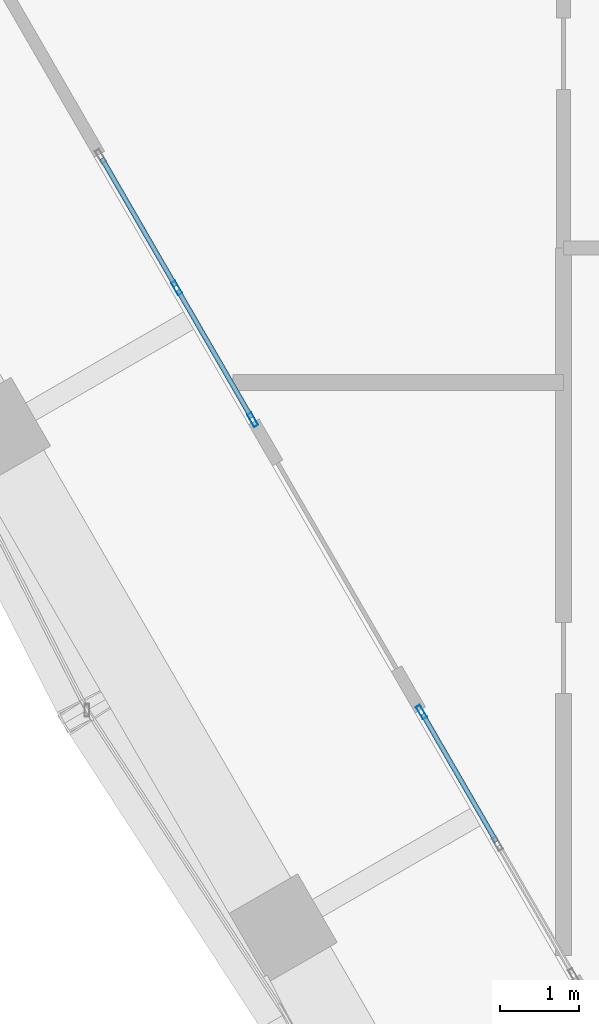
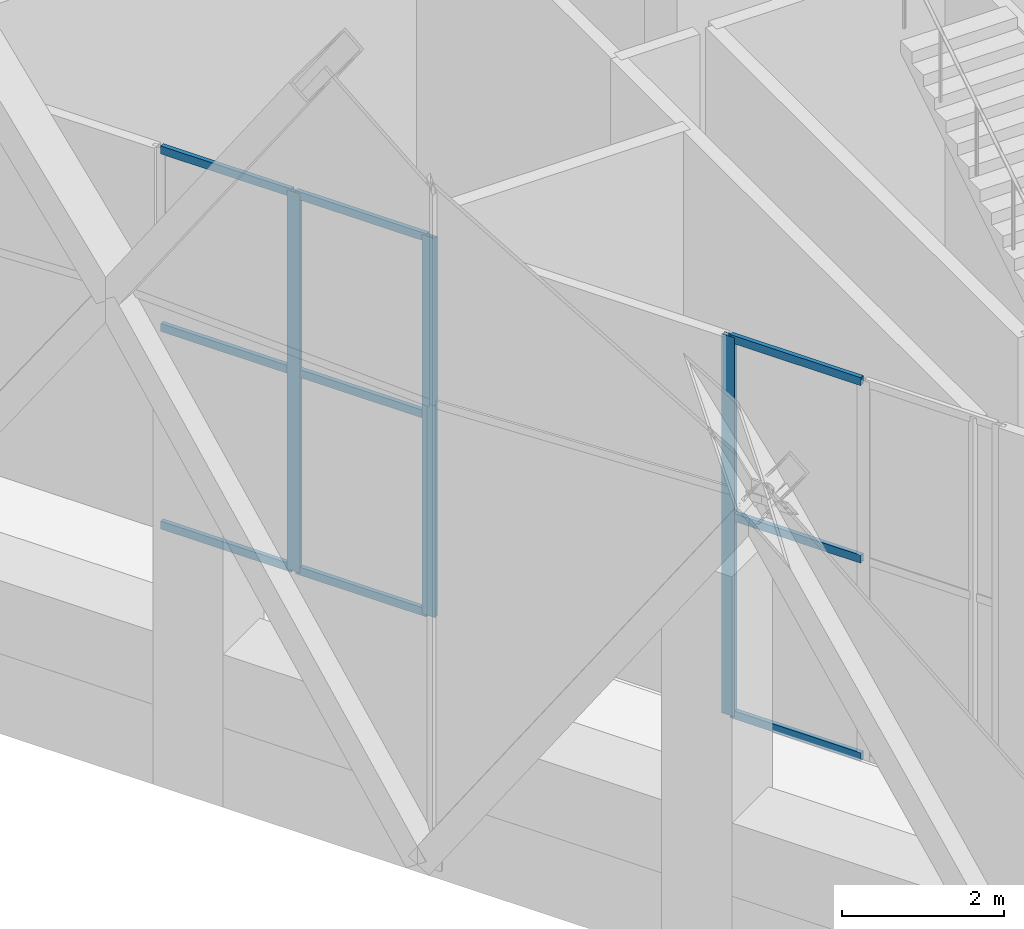
# One storey, part 7 of 43: 12 members, 2 elements without a shape of their own.
"""IFC4 building model written with IfcOpenShell, lengths in metres."""

from ifc_helpers import new_model, si_unit, direction, frame, origin, origin_2d, place, context, subcontext, project, spatial, hollow_rectangle, extrude, material, material_profile, profile_set, type_object, element, aggregate, save


model = new_model("IFC4")

# Units and contexts
model_context = context("Model", 3, precision=1e-05, world=origin(), true_north=direction((0.0, 1.0)))
body_context = subcontext(model_context, "Body", "Model", "MODEL_VIEW")
ifc_project = project(units=[si_unit("LENGTHUNIT", "METRE"), si_unit("AREAUNIT", "SQUARE_METRE"), si_unit("VOLUMEUNIT", "CUBIC_METRE"), si_unit("PLANEANGLEUNIT", "RADIAN"), si_unit("MASSUNIT", "GRAM", prefix="KILO")], contexts=[model_context])

# Site, building, storey
site_placement = place(None, origin())
site = spatial("IfcSite", under=ifc_project, at=site_placement, CompositionType="ELEMENT")
building_placement = place(site_placement, origin())
building = spatial("IfcBuilding", under=site, at=building_placement, Name="Ostrander Bayou Hotel Tower", CompositionType="ELEMENT")
storey_placement = place(building_placement, frame((0.0, 0.0, 151.0)))
storey = spatial("IfcBuildingStorey", under=building, at=storey_placement, Name="L37", CompositionType="ELEMENT", Elevation=151.0)

# Curtain wall, members
ifc_material_1 = material(Name="Aluminium and clear glass", Category="aluminium")
curtain_wall_type = type_object("IfcCurtainWallType", Name="CW-SKY amenity glass wall", PredefinedType="NOTDEFINED", material=ifc_material_1)
curtain_wall_1_placement = place(storey_placement, origin())
curtain_wall_1 = element("IfcCurtainWall", 1, at=curtain_wall_1_placement, inside=storey, type_object=curtain_wall_type, Name="CW-SKY L37 SW 1", PredefinedType="NOTDEFINED")
ifc_material_2 = material(Name="Aluminium", Category="aluminium")
ifc_material_profile_1 = material_profile(ifc_material_2, hollow_rectangle(XDim=0.06005859375, YDim=0.179931640625, WallThickness=0.00390625, at=origin_2d()))
ifc_profile_set_1 = profile_set([ifc_material_profile_1], Name="Aluminium")
member_type_1 = type_object("IfcMemberType", Name="CW-SK mullion 60 x 180 mm", PredefinedType="MULLION", material=ifc_profile_set_1)
member_1_placement = place(storey_placement, frame((-15.38330078125, -4.205078125, 0.0), z_axis=(0.0, 0.0, 1.0), x_axis=(0.866025463091, 0.499999897278, 0.0)))
member_1 = element("IfcMember", 2, at=member_1_placement, type_object=member_type_1, Name="CW-SKY mullion 2", PredefinedType="MULLION", context=body_context, shape_type="SweptSolid", body=[
    extrude(hollow_rectangle(XDim=0.06005859375, YDim=0.179931640625, WallThickness=0.00390625, at=origin_2d()), origin(), (0.0, 0.0, 1.0), 5.699951171875),
])
member_2_placement = place(storey_placement, frame((-14.42333984375, -5.867919921875, 0.0), z_axis=(0.0, 0.0, 1.0), x_axis=(0.866025463091, 0.499999897278, 0.0)))
member_2 = element("IfcMember", 3, at=member_2_placement, type_object=member_type_1, Name="CW-SKY mullion 3", PredefinedType="MULLION", context=body_context, shape_type="SweptSolid", body=[
    extrude(hollow_rectangle(XDim=0.06005859375, YDim=0.179931640625, WallThickness=0.00390625, at=origin_2d()), origin(), (0.0, 0.0, 1.0), 5.699951171875),
])

# Curtain wall, member
curtain_wall_2_placement = place(storey_placement, origin())
curtain_wall_2 = element("IfcCurtainWall", 4, at=curtain_wall_2_placement, inside=storey, type_object=curtain_wall_type, Name="CW-SKY L37 SW 3", PredefinedType="NOTDEFINED")
member_3_placement = place(storey_placement, frame((-12.29345703125, -9.55712890625, 0.0), z_axis=(0.0, 0.0, 1.0), x_axis=(0.866025463091, 0.499999897278, 0.0)))
member_3 = element("IfcMember", 5, at=member_3_placement, type_object=member_type_1, Name="CW-SKY mullion 1", PredefinedType="MULLION", context=body_context, shape_type="SweptSolid", body=[
    extrude(hollow_rectangle(XDim=0.06005859375, YDim=0.179931640625, WallThickness=0.00390625, at=origin_2d()), origin(), (0.0, 0.0, 1.0), 5.699951171875),
])

# Member
ifc_material_3 = material(Name="Aluminium", Category="aluminium")
ifc_material_profile_2 = material_profile(ifc_material_3, hollow_rectangle(XDim=0.06005859375, YDim=0.1201171875, WallThickness=0.00390625, at=origin_2d()))
ifc_profile_set_2 = profile_set([ifc_material_profile_2], Name="Aluminium")
member_type_2 = type_object("IfcMemberType", Name="CW-SK transom 60 x 120 mm", PredefinedType="USERDEFINED", material=ifc_profile_set_2)
member_4_placement = place(storey_placement, frame((-16.328369140625, -2.568359375, 0.030029296875), z_axis=(0.500021687003, -0.866012882425, 0.0), x_axis=(0.866012882425, 0.500021687003, 0.0)))
member_4 = element("IfcMember", 6, at=member_4_placement, type_object=member_type_2, Name="CW-SKY transom 1.1", ObjectType="TRANSOM", PredefinedType="USERDEFINED", context=body_context, shape_type="SweptSolid", body=[
    extrude(hollow_rectangle(XDim=0.06005859375, YDim=0.1201171875, WallThickness=0.00390625, at=origin_2d()), origin(), (0.0, 0.0, 1.0), 1.85986328125),
])

member_5_placement = place(storey_placement, frame((-16.328369140625, -2.568359375, 3.0), z_axis=(0.500021687003, -0.866012882425, 0.0), x_axis=(0.866012882425, 0.500021687003, 0.0)))
member_5 = element("IfcMember", 7, at=member_5_placement, type_object=member_type_2, Name="CW-SKY transom 1.2", ObjectType="TRANSOM", PredefinedType="USERDEFINED", context=body_context, shape_type="SweptSolid", body=[
    extrude(hollow_rectangle(XDim=0.06005859375, YDim=0.1201171875, WallThickness=0.00390625, at=origin_2d()), origin(), (0.0, 0.0, 1.0), 1.85986328125),
])

member_6_placement = place(storey_placement, frame((-16.328369140625, -2.568359375, 5.669921875), z_axis=(0.500021687003, -0.866012882425, 0.0), x_axis=(0.866012882425, 0.500021687003, 0.0)))
member_6 = element("IfcMember", 8, at=member_6_placement, type_object=member_type_2, Name="CW-SKY transom 1.3", ObjectType="TRANSOM", PredefinedType="USERDEFINED", context=body_context, shape_type="SweptSolid", body=[
    extrude(hollow_rectangle(XDim=0.06005859375, YDim=0.1201171875, WallThickness=0.00390625, at=origin_2d()), origin(), (0.0, 0.0, 1.0), 1.85986328125),
])

member_7_placement = place(storey_placement, frame((-15.368408203125, -4.23095703125, 0.030029296875), z_axis=(0.499964847546, -0.866045698112, 0.0), x_axis=(0.866045698112, 0.499964847546, 0.0)))
member_7 = element("IfcMember", 9, at=member_7_placement, type_object=member_type_2, Name="CW-SKY transom 2.1", ObjectType="TRANSOM", PredefinedType="USERDEFINED", context=body_context, shape_type="SweptSolid", body=[
    extrude(hollow_rectangle(XDim=0.06005859375, YDim=0.1201171875, WallThickness=0.00390625, at=origin_2d()), origin(), (0.0, 0.0, 1.0), 1.860107421875),
])

member_8_placement = place(storey_placement, frame((-15.368408203125, -4.23095703125, 3.0), z_axis=(0.499964847546, -0.866045698112, 0.0), x_axis=(0.866045698112, 0.499964847546, 0.0)))
member_8 = element("IfcMember", 10, at=member_8_placement, type_object=member_type_2, Name="CW-SKY transom 2.2", ObjectType="TRANSOM", PredefinedType="USERDEFINED", context=body_context, shape_type="SweptSolid", body=[
    extrude(hollow_rectangle(XDim=0.06005859375, YDim=0.1201171875, WallThickness=0.00390625, at=origin_2d()), origin(), (0.0, 0.0, 1.0), 1.860107421875),
])

member_9_placement = place(storey_placement, frame((-15.368408203125, -4.23095703125, 5.669921875), z_axis=(0.499964847546, -0.866045698112, 0.0), x_axis=(0.866045698112, 0.499964847546, 0.0)))
member_9 = element("IfcMember", 11, at=member_9_placement, type_object=member_type_2, Name="CW-SKY transom 2.3", ObjectType="TRANSOM", PredefinedType="USERDEFINED", context=body_context, shape_type="SweptSolid", body=[
    extrude(hollow_rectangle(XDim=0.06005859375, YDim=0.1201171875, WallThickness=0.00390625, at=origin_2d()), origin(), (0.0, 0.0, 1.0), 1.860107421875),
])

aggregate(curtain_wall_1, [member_1, member_2, member_4, member_5, member_6, member_7, member_8, member_9])

member_10_placement = place(storey_placement, frame((-12.2783203125, -9.583251953125, 0.030029296875), z_axis=(0.500021687003, -0.866012882425, 0.0), x_axis=(0.866012882425, 0.500021687003, 0.0)))
member_10 = element("IfcMember", 12, at=member_10_placement, type_object=member_type_2, Name="CW-SKY transom 1.1", ObjectType="TRANSOM", PredefinedType="USERDEFINED", context=body_context, shape_type="SweptSolid", body=[
    extrude(hollow_rectangle(XDim=0.06005859375, YDim=0.1201171875, WallThickness=0.00390625, at=origin_2d()), origin(), (0.0, 0.0, 1.0), 1.85986328125),
])

member_11_placement = place(storey_placement, frame((-12.2783203125, -9.583251953125, 3.0), z_axis=(0.500021687003, -0.866012882425, 0.0), x_axis=(0.866012882425, 0.500021687003, 0.0)))
member_11 = element("IfcMember", 13, at=member_11_placement, type_object=member_type_2, Name="CW-SKY transom 1.2", ObjectType="TRANSOM", PredefinedType="USERDEFINED", context=body_context, shape_type="SweptSolid", body=[
    extrude(hollow_rectangle(XDim=0.06005859375, YDim=0.1201171875, WallThickness=0.00390625, at=origin_2d()), origin(), (0.0, 0.0, 1.0), 1.85986328125),
])

member_12_placement = place(storey_placement, frame((-12.2783203125, -9.583251953125, 5.669921875), z_axis=(0.500021687003, -0.866012882425, 0.0), x_axis=(0.866012882425, 0.500021687003, 0.0)))
member_12 = element("IfcMember", 14, at=member_12_placement, type_object=member_type_2, Name="CW-SKY transom 1.3", ObjectType="TRANSOM", PredefinedType="USERDEFINED", context=body_context, shape_type="SweptSolid", body=[
    extrude(hollow_rectangle(XDim=0.06005859375, YDim=0.1201171875, WallThickness=0.00390625, at=origin_2d()), origin(), (0.0, 0.0, 1.0), 1.85986328125),
])

aggregate(curtain_wall_2, [member_3, member_10, member_11, member_12])

save(model, "model.ifc")
